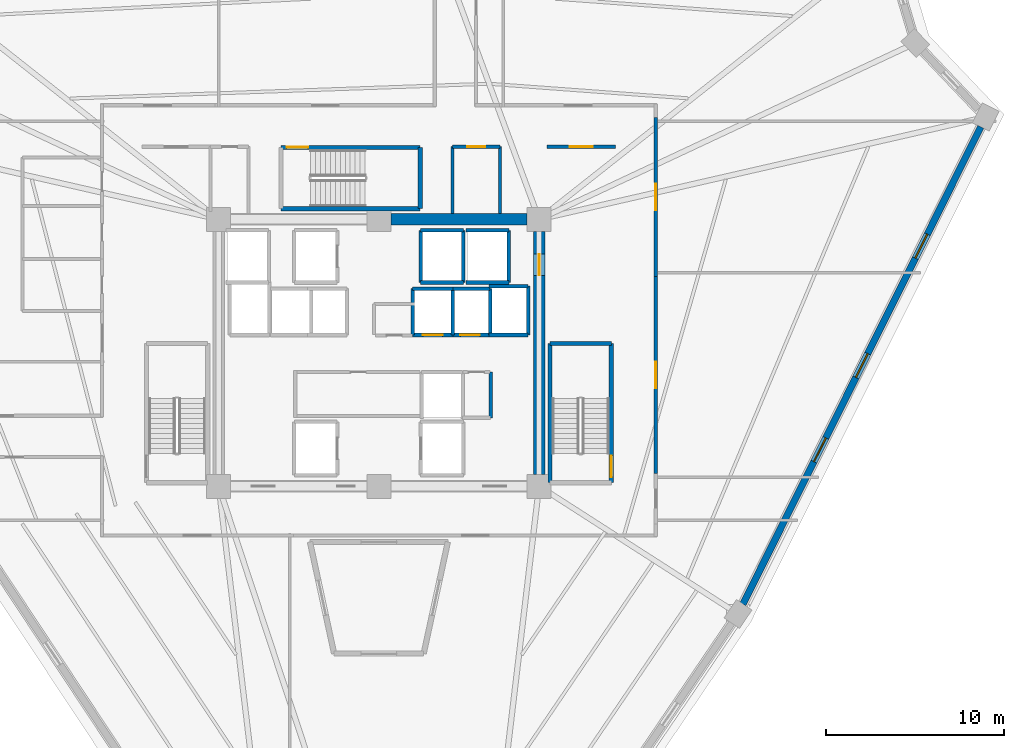
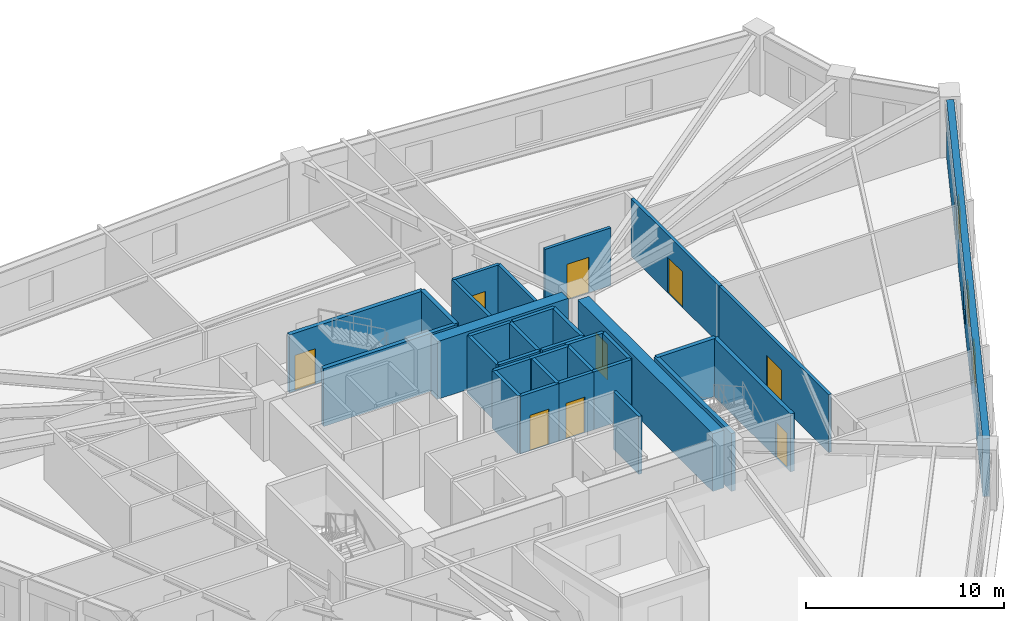
# One storey, part 6 of 10: 33 walls, 9 doors, 3 windows, 12 openings.
"""IFC4 building model written with IfcOpenShell, lengths in metres."""

from ifc_helpers import new_model, si_unit, direction, frame, frame_2d, origin, place, context, subcontext, project, spatial, rectangle, extrude, source, transform, mapped, material, layer, layer_set, type_object, element, fill, save


model = new_model("IFC4")

# Units and contexts
model_context = context("Model", 3, precision=1e-05, world=origin(), true_north=direction((0.0, 1.0)))
body_context = subcontext(model_context, "Body", "Model", "MODEL_VIEW")
ifc_project = project(units=[si_unit("LENGTHUNIT", "METRE"), si_unit("AREAUNIT", "SQUARE_METRE"), si_unit("VOLUMEUNIT", "CUBIC_METRE"), si_unit("PLANEANGLEUNIT", "RADIAN"), si_unit("MASSUNIT", "GRAM", prefix="KILO")], contexts=[model_context])

# Site, building, storey
site_placement = place(None, origin())
site = spatial("IfcSite", under=ifc_project, at=site_placement, CompositionType="ELEMENT")
building_placement = place(site_placement, origin())
building = spatial("IfcBuilding", under=site, at=building_placement, Name="Liaohun Quay Tower", CompositionType="ELEMENT")
storey_placement = place(building_placement, frame((0.0, 0.0, 194.25)))
storey = spatial("IfcBuildingStorey", under=building, at=storey_placement, Name="L50", CompositionType="ELEMENT", Elevation=194.25)

# Wall
ifc_material_1 = material(Name="Concrete C55", Category="concrete")
ifc_layer_1 = layer(ifc_material_1, 0.64990234375, Name="Concrete C55", Category="concrete")
ifc_layer_set_1 = layer_set([ifc_layer_1], Name="Concrete C55")
wall_type_1 = type_object("IfcWallType", Name="WAL-COR-Z3", PredefinedType="SHEAR", material=ifc_layer_set_1)
wall_1_placement = place(storey_placement, frame((60.675048828125, 61.5, 0.0), z_axis=(0.0, 0.0, 1.0), x_axis=(1.0, 0.0, 0.0)))
element("IfcWall", 1, at=wall_1_placement, inside=storey, type_object=wall_type_1, Name="L50 Central Core Shear Wall N-E", PredefinedType="SHEAR", context=body_context, shape_type="SweptSolid", body=[
    extrude(rectangle(XDim=7.64990234375, YDim=0.64990234375, at=frame_2d((3.824951171875, 0.0))), origin(), (0.0, 0.0, 1.0), 3.570068359375),
])

# Wall, opening, door
wall_2_placement = place(storey_placement, frame((69.0, 60.824951171875, 0.0), z_axis=(0.0, 0.0, 1.0), x_axis=(0.0, -1.0, 0.0)))
wall_2 = element("IfcWall", 2, at=wall_2_placement, inside=storey, type_object=wall_type_1, Name="L50 Central Core Shear Wall E", PredefinedType="SHEAR", context=body_context, shape_type="SweptSolid", body=[
    extrude(rectangle(XDim=13.64990234375, YDim=0.64990234375, at=frame_2d((6.824951171875, 0.0))), origin(), (0.0, 0.0, 1.0), 3.570068359375),
])
shared_shape_1 = source(origin(), body_context, "Body", "SweptSolid", [
    extrude(rectangle(XDim=1.199951171875, YDim=2.199951171875, at=frame_2d((0.60009765625, 1.10009765625))), frame((0.0, 0.3349609375, 0.0), z_axis=(0.0, -1.0, 0.0), x_axis=(1.0, 0.0, 0.0)), (0.0, 0.0, 1.0), 0.669921875),
])
opening_1_placement = place(wall_2_placement, frame((1.27490234375, 0.0, 0.0)))
opening_1 = element("IfcOpeningElement", 3, at=opening_1_placement, cuts=wall_2, Name="Opening SD1", PredefinedType="OPENING", context=body_context, shape_type="MappedRepresentation", body=[
    mapped(shared_shape_1, transform((0.0, 0.0, 0.0), x_axis=(1.0, 0.0, 0.0), y_axis=(0.0, 1.0, 0.0), z_axis=(0.0, 0.0, 1.0), scale=1.0)),
])
ifc_material_2 = material(Name="Galvanised steel fire door", Category="steel")
door_type_1 = type_object("IfcDoorType", Name="DOR-STR-1200", OperationType="NOTDEFINED", PredefinedType="DOOR", material=ifc_material_2)
shared_shape_2 = source(origin(), body_context, "Body", "SweptSolid", [
    extrude(rectangle(XDim=1.199951171875, YDim=2.199951171875, at=frame_2d((0.60009765625, 1.10009765625))), frame((0.0, 0.02490234375, 0.0), z_axis=(0.0, -1.0, 0.0), x_axis=(1.0, 0.0, 0.0)), (0.0, 0.0, 1.0), 0.050048828125),
])
door_1_placement = place(opening_1_placement, origin())
door_1 = element("IfcDoor", 4, at=door_1_placement, inside=storey, type_object=door_type_1, Name="L50 North-East Core Lobby Smokeproof Door", OperationType="SINGLE_SWING_LEFT", OverallHeight=2.199951171875, OverallWidth=1.199951171875, PredefinedType="DOOR", context=body_context, shape_type="MappedRepresentation", body=[
    mapped(shared_shape_2, transform((0.0, 0.0, 0.0), x_axis=(1.0, 0.0, 0.0), y_axis=(0.0, 1.0, 0.0), z_axis=(0.0, 0.0, 1.0), scale=1.0)),
])
fill(opening_1, door_1)

# Wall, openings, windows
ifc_material_3 = material(Name="Precast concrete C50 insulated sandwich", Category="concrete")
ifc_layer_2 = layer(ifc_material_3, 0.3798828125, Name="Precast concrete C50 insulated sandwich", Category="concrete")
ifc_layer_set_2 = layer_set([ifc_layer_2], Name="Precast concrete C50 insulated sandwich")
wall_type_2 = type_object("IfcWallType", Name="WAL-EXT-Z34", PredefinedType="SOLIDWALL", material=ifc_layer_set_2)
wall_3_placement = place(storey_placement, frame((80.451904296875, 39.875, 0.0), z_axis=(0.0, 0.0, 1.0), x_axis=(0.446173861236, 0.894946303166, 0.0)))
wall_3 = element("IfcWall", 5, at=wall_3_placement, inside=storey, type_object=wall_type_2, Name="L50 Brutalist Precast Pier Wall 03", PredefinedType="SOLIDWALL", context=body_context, shape_type="SweptSolid", body=[
    extrude(rectangle(XDim=29.970458984375, YDim=0.3798828125, at=frame_2d((14.9853515625, 0.0))), origin(), (0.0, 0.0, 1.0), 3.570068359375),
])
shared_shape_3 = source(origin(), body_context, "Body", "SweptSolid", [
    extrude(rectangle(XDim=1.5, YDim=1.89990234375, at=frame_2d((0.75, 0.949951171875))), frame((0.0, 0.199951171875, 0.0), z_axis=(0.0, -1.0, 0.0), x_axis=(1.0, 0.0, 0.0)), (0.0, 0.0, 1.0), 0.39990234375),
])
opening_2_placement = place(wall_3_placement, frame((8.943115234375, 0.0, 0.550048828125)))
opening_2 = element("IfcOpeningElement", 6, at=opening_2_placement, cuts=wall_3, Name="Opening W03", PredefinedType="OPENING", context=body_context, shape_type="MappedRepresentation", body=[
    mapped(shared_shape_3, transform((0.0, 0.0, 0.0), x_axis=(1.0, 0.0, 0.0), y_axis=(0.0, 1.0, 0.0), z_axis=(0.0, 0.0, 1.0), scale=1.0)),
])
opening_3_placement = place(wall_3_placement, frame((14.235107421875, 0.0, 0.550048828125)))
opening_3 = element("IfcOpeningElement", 7, at=opening_3_placement, cuts=wall_3, Name="Opening W03", PredefinedType="OPENING", context=body_context, shape_type="MappedRepresentation", body=[
    mapped(shared_shape_3, transform((0.0, 0.0, 0.0), x_axis=(1.0, 0.0, 0.0), y_axis=(0.0, 1.0, 0.0), z_axis=(0.0, 0.0, 1.0), scale=1.0)),
])
opening_4_placement = place(wall_3_placement, frame((21.72802734375, 0.0, 0.550048828125)))
opening_4 = element("IfcOpeningElement", 8, at=opening_4_placement, cuts=wall_3, Name="Opening W03", PredefinedType="OPENING", context=body_context, shape_type="MappedRepresentation", body=[
    mapped(shared_shape_3, transform((0.0, 0.0, 0.0), x_axis=(1.0, 0.0, 0.0), y_axis=(0.0, 1.0, 0.0), z_axis=(0.0, 0.0, 1.0), scale=1.0)),
])
ifc_material_4 = material(Name="Triple Low-E argon glazing in thermally broken aluminium", Category="aluminium")
window_type = type_object("IfcWindowType", Name="WIN-PUN-Z3", PartitioningType="DOUBLE_PANEL_VERTICAL", PredefinedType="WINDOW", material=ifc_material_4)
shared_shape_4 = source(origin(), body_context, "Body", "SweptSolid", [
    extrude(rectangle(XDim=1.5, YDim=1.89990234375, at=frame_2d((0.75, 0.949951171875))), frame((0.0, 0.030029296875, 0.0), z_axis=(0.0, -1.0, 0.0), x_axis=(1.0, 0.0, 0.0)), (0.0, 0.0, 1.0), 0.06005859375),
])
window_1_placement = place(opening_2_placement, origin())
window_1 = element("IfcWindow", 9, at=window_1_placement, inside=storey, type_object=window_type, Name="L50 Recessed Cold-Climate Punched Window 03-1", OverallHeight=1.89990234375, OverallWidth=1.5, PartitioningType="DOUBLE_PANEL_VERTICAL", PredefinedType="WINDOW", context=body_context, shape_type="MappedRepresentation", body=[
    mapped(shared_shape_4, transform((0.0, 0.0, 0.0), x_axis=(1.0, 0.0, 0.0), y_axis=(0.0, 1.0, 0.0), z_axis=(0.0, 0.0, 1.0), scale=1.0)),
])
fill(opening_2, window_1)
window_2_placement = place(opening_3_placement, origin())
window_2 = element("IfcWindow", 10, at=window_2_placement, inside=storey, type_object=window_type, Name="L50 Recessed Cold-Climate Punched Window 03-2", OverallHeight=1.89990234375, OverallWidth=1.5, PartitioningType="DOUBLE_PANEL_VERTICAL", PredefinedType="WINDOW", context=body_context, shape_type="MappedRepresentation", body=[
    mapped(shared_shape_4, transform((0.0, 0.0, 0.0), x_axis=(1.0, 0.0, 0.0), y_axis=(0.0, 1.0, 0.0), z_axis=(0.0, 0.0, 1.0), scale=1.0)),
])
fill(opening_3, window_2)
window_3_placement = place(opening_4_placement, origin())
window_3 = element("IfcWindow", 11, at=window_3_placement, inside=storey, type_object=window_type, Name="L50 Recessed Cold-Climate Punched Window 03-3", OverallHeight=1.89990234375, OverallWidth=1.5, PartitioningType="DOUBLE_PANEL_VERTICAL", PredefinedType="WINDOW", context=body_context, shape_type="MappedRepresentation", body=[
    mapped(shared_shape_4, transform((0.0, 0.0, 0.0), x_axis=(1.0, 0.0, 0.0), y_axis=(0.0, 1.0, 0.0), z_axis=(0.0, 0.0, 1.0), scale=1.0)),
])
fill(opening_4, window_3)

# Wall, opening, door
ifc_material_5 = material(Name="Autoclaved aerated concrete blockwork", Category="masonry")
ifc_layer_3 = layer(ifc_material_5, 0.179931640625, Name="Autoclaved aerated concrete blockwork", Category="masonry")
ifc_layer_set_3 = layer_set([ifc_layer_3], Name="Autoclaved aerated concrete blockwork")
wall_type_3 = type_object("IfcWallType", Name="WAL-PRT-COR", PredefinedType="PARTITIONING", material=ifc_layer_set_3)
wall_4_placement = place(storey_placement, frame((64.139892578125, 65.580078125, 0.0), z_axis=(0.0, 0.0, 1.0), x_axis=(1.0, 0.0, 0.0)))
wall_4 = element("IfcWall", 12, at=wall_4_placement, inside=storey, type_object=wall_type_3, Name="L50 Interior Partition Wall 008", PredefinedType="PARTITIONING", context=body_context, shape_type="SweptSolid", body=[
    extrude(rectangle(XDim=2.670166015625, YDim=0.179931640625, at=frame_2d((1.3349609375, 0.0))), origin(), (0.0, 0.0, 1.0), 3.570068359375),
])
shared_shape_5 = source(origin(), body_context, "Body", "SweptSolid", [
    extrude(rectangle(XDim=1.0, YDim=2.199951171875, at=frame_2d((0.5, 1.10009765625))), frame((0.0, 0.099853515625, 0.0), z_axis=(0.0, -1.0, 0.0), x_axis=(1.0, 0.0, 0.0)), (0.0, 0.0, 1.0), 0.199951171875),
])
opening_5_placement = place(wall_4_placement, frame((0.8349609375, 0.0, 0.0)))
opening_5 = element("IfcOpeningElement", 13, at=opening_5_placement, cuts=wall_4, Name="Opening OD1", PredefinedType="OPENING", context=body_context, shape_type="MappedRepresentation", body=[
    mapped(shared_shape_5, transform((0.0, 0.0, 0.0), x_axis=(1.0, 0.0, 0.0), y_axis=(0.0, 1.0, 0.0), z_axis=(0.0, 0.0, 1.0), scale=1.0)),
])
ifc_material_6 = material(Name="Solid-core oak veneer timber leaf in steel frame", Category="steel")
door_type_2 = type_object("IfcDoorType", Name="DOR-OFF-1000", OperationType="NOTDEFINED", PredefinedType="DOOR", material=ifc_material_6)
shared_shape_6 = source(origin(), body_context, "Body", "SweptSolid", [
    extrude(rectangle(XDim=1.0, YDim=2.199951171875, at=frame_2d((0.5, 1.10009765625))), frame((0.0, 0.02490234375, 0.0), z_axis=(0.0, -1.0, 0.0), x_axis=(1.0, 0.0, 0.0)), (0.0, 0.0, 1.0), 0.050048828125),
])
door_2_placement = place(opening_5_placement, origin())
door_2 = element("IfcDoor", 14, at=door_2_placement, inside=storey, type_object=door_type_2, Name="L50 North-East Server Closet Door", OperationType="SINGLE_SWING_RIGHT", OverallHeight=2.199951171875, OverallWidth=1.0, PredefinedType="DOOR", context=body_context, shape_type="MappedRepresentation", body=[
    mapped(shared_shape_6, transform((0.0, 0.0, 0.0), x_axis=(1.0, 0.0, 0.0), y_axis=(0.0, 1.0, 0.0), z_axis=(0.0, 0.0, 1.0), scale=1.0)),
])
fill(opening_5, door_2)

wall_5_placement = place(storey_placement, frame((69.4599609375, 65.580078125, 0.0), z_axis=(0.0, 0.0, 1.0), x_axis=(1.0, 0.0, 0.0)))
wall_5 = element("IfcWall", 15, at=wall_5_placement, inside=storey, type_object=wall_type_3, Name="L50 Interior Partition Wall 010", PredefinedType="PARTITIONING", context=body_context, shape_type="SweptSolid", body=[
    extrude(rectangle(XDim=3.840087890625, YDim=0.179931640625, at=frame_2d((1.919921875, 0.0))), origin(), (0.0, 0.0, 1.0), 3.570068359375),
])
shared_shape_7 = source(origin(), body_context, "Body", "SweptSolid", [
    extrude(rectangle(XDim=1.300048828125, YDim=2.199951171875, at=frame_2d((0.64990234375, 1.10009765625))), frame((0.0, 0.099853515625, 0.0), z_axis=(0.0, -1.0, 0.0), x_axis=(1.0, 0.0, 0.0)), (0.0, 0.0, 1.0), 0.199951171875),
])
opening_6_placement = place(wall_5_placement, frame((1.27001953125, 0.0, 0.0)))
opening_6 = element("IfcOpeningElement", 16, at=opening_6_placement, cuts=wall_5, Name="Opening FD1", PredefinedType="OPENING", context=body_context, shape_type="MappedRepresentation", body=[
    mapped(shared_shape_7, transform((0.0, 0.0, 0.0), x_axis=(1.0, 0.0, 0.0), y_axis=(0.0, 1.0, 0.0), z_axis=(0.0, 0.0, 1.0), scale=1.0)),
])
ifc_material_7 = material(Name="Galvanised steel smokeproof fire door", Category="steel")
door_type_3 = type_object("IfcDoorType", Name="DOR-FFL-1300", OperationType="NOTDEFINED", PredefinedType="DOOR", material=ifc_material_7)
shared_shape_8 = source(origin(), body_context, "Body", "SweptSolid", [
    extrude(rectangle(XDim=1.300048828125, YDim=2.199951171875, at=frame_2d((0.64990234375, 1.10009765625))), frame((0.0, 0.02490234375, 0.0), z_axis=(0.0, -1.0, 0.0), x_axis=(1.0, 0.0, 0.0)), (0.0, 0.0, 1.0), 0.050048828125),
])
door_3_placement = place(opening_6_placement, origin())
door_3 = element("IfcDoor", 17, at=door_3_placement, inside=storey, type_object=door_type_3, Name="L50 East Core Vestibule Door", OperationType="SINGLE_SWING_RIGHT", OverallHeight=2.199951171875, OverallWidth=1.300048828125, PredefinedType="DOOR", context=body_context, shape_type="MappedRepresentation", body=[
    mapped(shared_shape_8, transform((0.0, 0.0, 0.0), x_axis=(1.0, 0.0, 0.0), y_axis=(0.0, 1.0, 0.0), z_axis=(0.0, 0.0, 1.0), scale=1.0)),
])
fill(opening_6, door_3)

wall_6_placement = place(storey_placement, frame((75.56005859375, 67.215087890625, 0.0), z_axis=(0.0, 0.0, 1.0), x_axis=(0.0, -1.0, 0.0)))
wall_6 = element("IfcWall", 18, at=wall_6_placement, inside=storey, type_object=wall_type_3, Name="L50 Interior Partition Wall 011", PredefinedType="PARTITIONING", context=body_context, shape_type="SweptSolid", body=[
    extrude(rectangle(XDim=8.93017578125, YDim=0.179931640625, at=frame_2d((4.465087890625, 0.0))), origin(), (0.0, 0.0, 1.0), 3.570068359375),
])
shared_shape_9 = source(origin(), body_context, "Body", "SweptSolid", [
    extrude(rectangle(XDim=1.5, YDim=2.199951171875, at=frame_2d((0.75, 1.10009765625))), frame((0.0, 0.099853515625, 0.0), z_axis=(0.0, -1.0, 0.0), x_axis=(1.0, 0.0, 0.0)), (0.0, 0.0, 1.0), 0.199951171875),
])
opening_7_placement = place(wall_6_placement, frame((3.715087890625, 0.0, 0.0)))
opening_7 = element("IfcOpeningElement", 19, at=opening_7_placement, cuts=wall_6, Name="Opening OD2", PredefinedType="OPENING", context=body_context, shape_type="MappedRepresentation", body=[
    mapped(shared_shape_9, transform((0.0, 0.0, 0.0), x_axis=(1.0, 0.0, 0.0), y_axis=(0.0, 1.0, 0.0), z_axis=(0.0, 0.0, 1.0), scale=1.0)),
])
ifc_material_8 = material(Name="Acoustic oak veneer double door")
door_type_4 = type_object("IfcDoorType", Name="DOR-OFF-1500", OperationType="DOUBLE_DOOR_SINGLE_SWING", PredefinedType="DOOR", material=ifc_material_8)
shared_shape_10 = source(origin(), body_context, "Body", "SweptSolid", [
    extrude(rectangle(XDim=1.5, YDim=2.199951171875, at=frame_2d((0.75, 1.10009765625))), frame((0.0, 0.02490234375, 0.0), z_axis=(0.0, -1.0, 0.0), x_axis=(1.0, 0.0, 0.0)), (0.0, 0.0, 1.0), 0.050048828125),
])
door_4_placement = place(opening_7_placement, origin())
door_4 = element("IfcDoor", 20, at=door_4_placement, inside=storey, type_object=door_type_4, Name="L50 Staff Daycare Nursery 01 Door", OperationType="DOUBLE_DOOR_SINGLE_SWING", OverallHeight=2.199951171875, OverallWidth=1.5, PredefinedType="DOOR", context=body_context, shape_type="MappedRepresentation", body=[
    mapped(shared_shape_10, transform((0.0, 0.0, 0.0), x_axis=(1.0, 0.0, 0.0), y_axis=(0.0, 1.0, 0.0), z_axis=(0.0, 0.0, 1.0), scale=1.0)),
])
fill(opening_7, door_4)

wall_7_placement = place(storey_placement, frame((75.56005859375, 58.284912109375, 0.0), z_axis=(0.0, 0.0, 1.0), x_axis=(0.0, -1.0, 0.0)))
wall_7 = element("IfcWall", 21, at=wall_7_placement, inside=storey, type_object=wall_type_3, Name="L50 Interior Partition Wall 022", PredefinedType="PARTITIONING", context=body_context, shape_type="SweptSolid", body=[
    extrude(rectangle(XDim=11.06982421875, YDim=0.179931640625, at=frame_2d((5.534912109375, 0.0))), origin(), (0.0, 0.0, 1.0), 3.570068359375),
])
opening_8_placement = place(wall_7_placement, frame((4.784912109375, 0.0, 0.0)))
opening_8 = element("IfcOpeningElement", 22, at=opening_8_placement, cuts=wall_7, Name="Opening OD2", PredefinedType="OPENING", context=body_context, shape_type="MappedRepresentation", body=[
    mapped(shared_shape_9, transform((0.0, 0.0, 0.0), x_axis=(1.0, 0.0, 0.0), y_axis=(0.0, 1.0, 0.0), z_axis=(0.0, 0.0, 1.0), scale=1.0)),
])
door_5_placement = place(opening_8_placement, origin())
door_5 = element("IfcDoor", 23, at=door_5_placement, inside=storey, type_object=door_type_4, Name="L50 Client Reception Office 12 Door", OperationType="DOUBLE_DOOR_SINGLE_SWING", OverallHeight=2.199951171875, OverallWidth=1.5, PredefinedType="DOOR", context=body_context, shape_type="MappedRepresentation", body=[
    mapped(shared_shape_10, transform((0.0, 0.0, 0.0), x_axis=(1.0, 0.0, 0.0), y_axis=(0.0, 1.0, 0.0), z_axis=(0.0, 0.0, 1.0), scale=1.0)),
])
fill(opening_8, door_5)

# Walls
wall_8_placement = place(storey_placement, frame((66.280029296875, 50.35009765625, 0.0), z_axis=(0.0, 0.0, 1.0), x_axis=(0.0, 1.0, 0.0)))
element("IfcWall", 24, at=wall_8_placement, inside=storey, type_object=wall_type_3, Name="L50 Interior Partition Wall 026", PredefinedType="PARTITIONING", context=body_context, shape_type="SweptSolid", body=[
    extrude(rectangle(XDim=2.56982421875, YDim=0.179931640625, at=frame_2d((1.284912109375, 0.0))), origin(), (0.0, 0.0, 1.0), 3.570068359375),
])
for number, where, z_axis, x_axis, name in (
    (25, (64.139892578125, 61.824951171875, 0.0), (0.0, 0.0, 1.0), (0.0, 1.0, 0.0), "L50 Interior Partition Wall 034"),
    (26, (66.81005859375, 61.824951171875, 0.0), (0.0, 0.0, 1.0), (0.0, 1.0, 0.0), "L50 Interior Partition Wall 035"),
):
    element("IfcWall", number, at=place(storey_placement, frame(where, z_axis=z_axis, x_axis=x_axis)), inside=storey, type_object=wall_type_3, Name=name, PredefinedType="PARTITIONING", context=body_context, shape_type="SweptSolid", body=[
        extrude(rectangle(XDim=3.755126953125, YDim=0.179931640625, at=frame_2d((1.87744140625, 0.0))), origin(), (0.0, 0.0, 1.0), 3.570068359375),
    ])

# Wall, opening, door
ifc_material_9 = material(Name="Concrete C50", Category="concrete")
ifc_layer_4 = layer(ifc_material_9, 0.239990234375, Name="Concrete C50", Category="concrete")
ifc_layer_set_4 = layer_set([ifc_layer_4], Name="Concrete C50")
wall_type_4 = type_object("IfcWallType", Name="WAL-SHF-200", PredefinedType="SOLIDWALL", material=ifc_layer_set_4)
wall_9_placement = place(storey_placement, frame((73.06005859375, 46.699951171875, 0.0), z_axis=(0.0, 0.0, 1.0), x_axis=(0.0, 1.0, 0.0)))
wall_9 = element("IfcWall", 27, at=wall_9_placement, inside=storey, type_object=wall_type_4, Name="L50 Stairwell ST-2 Structural Core Wall E", PredefinedType="SOLIDWALL", context=body_context, shape_type="SweptSolid", body=[
    extrude(rectangle(XDim=7.820068359375, YDim=0.239990234375, at=frame_2d((3.91015625, 0.0))), origin(), (0.0, 0.0, 1.0), 3.570068359375),
])
shared_shape_11 = source(origin(), body_context, "Body", "SweptSolid", [
    extrude(rectangle(XDim=1.199951171875, YDim=2.199951171875, at=frame_2d((0.60009765625, 1.10009765625))), frame((0.0, 0.1298828125, 0.0), z_axis=(0.0, -1.0, 0.0), x_axis=(1.0, 0.0, 0.0)), (0.0, 0.0, 1.0), 0.260009765625),
])
opening_9_placement = place(wall_9_placement, frame((0.320068359375, 0.0, 0.0)))
opening_9 = element("IfcOpeningElement", 28, at=opening_9_placement, cuts=wall_9, Name="Opening SD1", PredefinedType="OPENING", context=body_context, shape_type="MappedRepresentation", body=[
    mapped(shared_shape_11, transform((0.0, 0.0, 0.0), x_axis=(1.0, 0.0, 0.0), y_axis=(0.0, 1.0, 0.0), z_axis=(0.0, 0.0, 1.0), scale=1.0)),
])
door_6_placement = place(opening_9_placement, origin())
door_6 = element("IfcDoor", 29, at=door_6_placement, inside=storey, type_object=door_type_1, Name="L50 Protected Stair ST-2 Fire Door", OperationType="SINGLE_SWING_RIGHT", OverallHeight=2.199951171875, OverallWidth=1.199951171875, PredefinedType="DOOR", context=body_context, shape_type="MappedRepresentation", body=[
    mapped(shared_shape_2, transform((0.0, 0.0, 0.0), x_axis=(1.0, 0.0, 0.0), y_axis=(0.0, 1.0, 0.0), z_axis=(0.0, 0.0, 1.0), scale=1.0)),
])
fill(opening_9, door_6)

# Walls
wall_10_placement = place(storey_placement, frame((73.06005859375, 54.52001953125, 0.0), z_axis=(0.0, 0.0, 1.0), x_axis=(-1.0, 0.0, 0.0)))
element("IfcWall", 30, at=wall_10_placement, inside=storey, type_object=wall_type_4, Name="L50 Stairwell ST-2 Structural Core Wall N", PredefinedType="SOLIDWALL", context=body_context, shape_type="SweptSolid", body=[
    extrude(rectangle(XDim=3.43994140625, YDim=0.239990234375, at=frame_2d((1.719970703125, 0.0))), origin(), (0.0, 0.0, 1.0), 3.570068359375),
])
for number, where, z_axis, x_axis, name in (
    (31, (69.6201171875, 54.52001953125, 0.0), (0.0, 0.0, 1.0), (0.0, -1.0, 0.0), "L50 Stairwell ST-2 Structural Core Wall W"),
    (32, (54.5, 62.10009765625, 0.0), (0.0, 0.0, 1.0), (1.0, 0.0, 0.0), "L50 Stairwell ST-3 Structural Core Wall S"),
):
    element("IfcWall", number, at=place(storey_placement, frame(where, z_axis=z_axis, x_axis=x_axis)), inside=storey, type_object=wall_type_4, Name=name, PredefinedType="SOLIDWALL", context=body_context, shape_type="SweptSolid", body=[
        extrude(rectangle(XDim=7.820068359375, YDim=0.239990234375, at=frame_2d((3.91015625, 0.0))), origin(), (0.0, 0.0, 1.0), 3.570068359375),
    ])
wall_11_placement = place(storey_placement, frame((62.320068359375, 62.10009765625, 0.0), z_axis=(0.0, 0.0, 1.0), x_axis=(0.0, 1.0, 0.0)))
element("IfcWall", 33, at=wall_11_placement, inside=storey, type_object=wall_type_4, Name="L50 Stairwell ST-3 Structural Core Wall E", PredefinedType="SOLIDWALL", context=body_context, shape_type="SweptSolid", body=[
    extrude(rectangle(XDim=3.43994140625, YDim=0.239990234375, at=frame_2d((1.719970703125, 0.0))), origin(), (0.0, 0.0, 1.0), 3.570068359375),
])

# Wall, opening, door
wall_12_placement = place(storey_placement, frame((62.320068359375, 65.5400390625, 0.0), z_axis=(0.0, 0.0, 1.0), x_axis=(-1.0, 0.0, 0.0)))
wall_12 = element("IfcWall", 34, at=wall_12_placement, inside=storey, type_object=wall_type_4, Name="L50 Stairwell ST-3 Structural Core Wall N", PredefinedType="SOLIDWALL", context=body_context, shape_type="SweptSolid", body=[
    extrude(rectangle(XDim=7.820068359375, YDim=0.239990234375, at=frame_2d((3.91015625, 0.0))), origin(), (0.0, 0.0, 1.0), 3.570068359375),
])
opening_10_placement = place(wall_12_placement, frame((6.300048828125, 0.0, 0.0)))
opening_10 = element("IfcOpeningElement", 35, at=opening_10_placement, cuts=wall_12, Name="Opening SD1", PredefinedType="OPENING", context=body_context, shape_type="MappedRepresentation", body=[
    mapped(shared_shape_11, transform((0.0, 0.0, 0.0), x_axis=(1.0, 0.0, 0.0), y_axis=(0.0, 1.0, 0.0), z_axis=(0.0, 0.0, 1.0), scale=1.0)),
])
door_7_placement = place(opening_10_placement, origin())
door_7 = element("IfcDoor", 36, at=door_7_placement, inside=storey, type_object=door_type_1, Name="L50 Protected Stair ST-3 Fire Door", OperationType="SINGLE_SWING_RIGHT", OverallHeight=2.199951171875, OverallWidth=1.199951171875, PredefinedType="DOOR", context=body_context, shape_type="MappedRepresentation", body=[
    mapped(shared_shape_2, transform((0.0, 0.0, 0.0), x_axis=(1.0, 0.0, 0.0), y_axis=(0.0, 1.0, 0.0), z_axis=(0.0, 0.0, 1.0), scale=1.0)),
])
fill(opening_10, door_7)

# Walls
wall_13_placement = place(storey_placement, frame((62.35009765625, 57.949951171875, 0.0), z_axis=(0.0, 0.0, 1.0), x_axis=(1.0, 0.0, 0.0)))
element("IfcWall", 37, at=wall_13_placement, inside=storey, type_object=wall_type_4, Name="L50 Lift OB-01 Hoistway Wall S", PredefinedType="SOLIDWALL", context=body_context, shape_type="SweptSolid", body=[
    extrude(rectangle(XDim=2.39990234375, YDim=0.199951171875, at=frame_2d((1.199951171875, 0.0))), origin(), (0.0, 0.0, 1.0), 3.570068359375),
])
wall_14_placement = place(storey_placement, frame((64.75, 57.949951171875, 0.0), z_axis=(0.0, 0.0, 1.0), x_axis=(0.0, 1.0, 0.0)))
element("IfcWall", 38, at=wall_14_placement, inside=storey, type_object=wall_type_4, Name="L50 Lift OB-01 Hoistway Wall E", PredefinedType="SOLIDWALL", context=body_context, shape_type="SweptSolid", body=[
    extrude(rectangle(XDim=2.929931640625, YDim=0.199951171875, at=frame_2d((1.46484375, 0.0))), origin(), (0.0, 0.0, 1.0), 3.570068359375),
])
wall_15_placement = place(storey_placement, frame((64.75, 60.8798828125, 0.0), z_axis=(0.0, 0.0, 1.0), x_axis=(-1.0, 0.0, 0.0)))
element("IfcWall", 39, at=wall_15_placement, inside=storey, type_object=wall_type_4, Name="L50 Lift OB-01 Hoistway Wall N", PredefinedType="SOLIDWALL", context=body_context, shape_type="SweptSolid", body=[
    extrude(rectangle(XDim=2.39990234375, YDim=0.199951171875, at=frame_2d((1.199951171875, 0.0))), origin(), (0.0, 0.0, 1.0), 3.570068359375),
])
wall_16_placement = place(storey_placement, frame((62.35009765625, 60.8798828125, 0.0), z_axis=(0.0, 0.0, 1.0), x_axis=(0.0, -1.0, 0.0)))
element("IfcWall", 40, at=wall_16_placement, inside=storey, type_object=wall_type_4, Name="L50 Lift OB-01 Hoistway Wall W", PredefinedType="SOLIDWALL", context=body_context, shape_type="SweptSolid", body=[
    extrude(rectangle(XDim=2.929931640625, YDim=0.199951171875, at=frame_2d((1.46484375, 0.0))), origin(), (0.0, 0.0, 1.0), 3.570068359375),
])
wall_17_placement = place(storey_placement, frame((64.89990234375, 57.949951171875, 0.0), z_axis=(0.0, 0.0, 1.0), x_axis=(1.0, 0.0, 0.0)))
element("IfcWall", 41, at=wall_17_placement, inside=storey, type_object=wall_type_4, Name="L50 Lift OB-02 Hoistway Wall S", PredefinedType="SOLIDWALL", context=body_context, shape_type="SweptSolid", body=[
    extrude(rectangle(XDim=2.400146484375, YDim=0.199951171875, at=frame_2d((1.2001953125, 0.0))), origin(), (0.0, 0.0, 1.0), 3.570068359375),
])
wall_18_placement = place(storey_placement, frame((67.300048828125, 57.949951171875, 0.0), z_axis=(0.0, 0.0, 1.0), x_axis=(0.0, 1.0, 0.0)))
element("IfcWall", 42, at=wall_18_placement, inside=storey, type_object=wall_type_4, Name="L50 Lift OB-02 Hoistway Wall E", PredefinedType="SOLIDWALL", context=body_context, shape_type="SweptSolid", body=[
    extrude(rectangle(XDim=2.929931640625, YDim=0.199951171875, at=frame_2d((1.46484375, 0.0))), origin(), (0.0, 0.0, 1.0), 3.570068359375),
])
wall_19_placement = place(storey_placement, frame((67.300048828125, 60.8798828125, 0.0), z_axis=(0.0, 0.0, 1.0), x_axis=(-1.0, 0.0, 0.0)))
element("IfcWall", 43, at=wall_19_placement, inside=storey, type_object=wall_type_4, Name="L50 Lift OB-02 Hoistway Wall N", PredefinedType="SOLIDWALL", context=body_context, shape_type="SweptSolid", body=[
    extrude(rectangle(XDim=2.400146484375, YDim=0.199951171875, at=frame_2d((1.2001953125, 0.0))), origin(), (0.0, 0.0, 1.0), 3.570068359375),
])
wall_20_placement = place(storey_placement, frame((66.199951171875, 55.0, 0.0), z_axis=(0.0, 0.0, 1.0), x_axis=(1.0, 0.0, 0.0)))
element("IfcWall", 44, at=wall_20_placement, inside=storey, type_object=wall_type_4, Name="L50 Lift SH-03 Hoistway Wall S", PredefinedType="SOLIDWALL", context=body_context, shape_type="SweptSolid", body=[
    extrude(rectangle(XDim=2.179931640625, YDim=0.199951171875, at=frame_2d((1.08984375, 0.0))), origin(), (0.0, 0.0, 1.0), 3.570068359375),
])
wall_21_placement = place(storey_placement, frame((68.3798828125, 55.0, 0.0), z_axis=(0.0, 0.0, 1.0), x_axis=(0.0, 1.0, 0.0)))
element("IfcWall", 45, at=wall_21_placement, inside=storey, type_object=wall_type_4, Name="L50 Lift SH-03 Hoistway Wall E", PredefinedType="SOLIDWALL", context=body_context, shape_type="SweptSolid", body=[
    extrude(rectangle(XDim=2.75, YDim=0.199951171875, at=frame_2d((1.375, 0.0))), origin(), (0.0, 0.0, 1.0), 3.570068359375),
])
wall_22_placement = place(storey_placement, frame((68.3798828125, 57.75, 0.0), z_axis=(0.0, 0.0, 1.0), x_axis=(-1.0, 0.0, 0.0)))
element("IfcWall", 46, at=wall_22_placement, inside=storey, type_object=wall_type_4, Name="L50 Lift SH-03 Hoistway Wall N", PredefinedType="SOLIDWALL", context=body_context, shape_type="SweptSolid", body=[
    extrude(rectangle(XDim=2.179931640625, YDim=0.199951171875, at=frame_2d((1.08984375, 0.0))), origin(), (0.0, 0.0, 1.0), 3.570068359375),
])

# Wall, opening, door
wall_23_placement = place(storey_placement, frame((61.89990234375, 55.0, 0.0), z_axis=(0.0, 0.0, 1.0), x_axis=(1.0, 0.0, 0.0)))
wall_23 = element("IfcWall", 47, at=wall_23_placement, inside=storey, type_object=wall_type_4, Name="L50 Lift PL-3A Hoistway Wall S", PredefinedType="SOLIDWALL", context=body_context, shape_type="SweptSolid", body=[
    extrude(rectangle(XDim=2.25, YDim=0.199951171875, at=frame_2d((1.125, 0.0))), origin(), (0.0, 0.0, 1.0), 3.570068359375),
])
shared_shape_12 = source(origin(), body_context, "Body", "SweptSolid", [
    extrude(rectangle(XDim=1.10009765625, YDim=2.199951171875, at=frame_2d((0.550048828125, 1.10009765625))), frame((0.0, 0.10986328125, 0.0), z_axis=(0.0, -1.0, 0.0), x_axis=(1.0, 0.0, 0.0)), (0.0, 0.0, 1.0), 0.219970703125),
])
opening_11_placement = place(wall_23_placement, frame((0.574951171875, 0.0, 0.0)))
opening_11 = element("IfcOpeningElement", 48, at=opening_11_placement, cuts=wall_23, Name="Opening LD1", PredefinedType="OPENING", context=body_context, shape_type="MappedRepresentation", body=[
    mapped(shared_shape_12, transform((0.0, 0.0, 0.0), x_axis=(1.0, 0.0, 0.0), y_axis=(0.0, 1.0, 0.0), z_axis=(0.0, 0.0, 1.0), scale=1.0)),
])
ifc_material_10 = material(Name="Brushed stainless steel landing door", Category="steel")
door_type_5 = type_object("IfcDoorType", Name="DOR-LFT-1100", OperationType="SLIDING_TO_LEFT", PredefinedType="DOOR", material=ifc_material_10)
shared_shape_13 = source(origin(), body_context, "Body", "SweptSolid", [
    extrude(rectangle(XDim=1.10009765625, YDim=2.199951171875, at=frame_2d((0.550048828125, 1.10009765625))), frame((0.0, 0.02490234375, 0.0), z_axis=(0.0, -1.0, 0.0), x_axis=(1.0, 0.0, 0.0)), (0.0, 0.0, 1.0), 0.050048828125),
])
door_8_placement = place(opening_11_placement, origin())
door_8 = element("IfcDoor", 49, at=door_8_placement, inside=storey, type_object=door_type_5, Name="L50 Lift PL-3A Sliding Landing Door", OperationType="SLIDING_TO_LEFT", OverallHeight=2.199951171875, OverallWidth=1.10009765625, PredefinedType="DOOR", context=body_context, shape_type="MappedRepresentation", body=[
    mapped(shared_shape_13, transform((0.0, 0.0, 0.0), x_axis=(1.0, 0.0, 0.0), y_axis=(0.0, 1.0, 0.0), z_axis=(0.0, 0.0, 1.0), scale=1.0)),
])
fill(opening_11, door_8)

# Walls
wall_24_placement = place(storey_placement, frame((64.14990234375, 55.0, 0.0), z_axis=(0.0, 0.0, 1.0), x_axis=(0.0, 1.0, 0.0)))
element("IfcWall", 50, at=wall_24_placement, inside=storey, type_object=wall_type_4, Name="L50 Lift PL-3A Hoistway Wall E", PredefinedType="SOLIDWALL", context=body_context, shape_type="SweptSolid", body=[
    extrude(rectangle(XDim=2.60009765625, YDim=0.199951171875, at=frame_2d((1.300048828125, 0.0))), origin(), (0.0, 0.0, 1.0), 3.570068359375),
])
wall_25_placement = place(storey_placement, frame((64.14990234375, 57.60009765625, 0.0), z_axis=(0.0, 0.0, 1.0), x_axis=(-1.0, 0.0, 0.0)))
element("IfcWall", 51, at=wall_25_placement, inside=storey, type_object=wall_type_4, Name="L50 Lift PL-3A Hoistway Wall N", PredefinedType="SOLIDWALL", context=body_context, shape_type="SweptSolid", body=[
    extrude(rectangle(XDim=2.25, YDim=0.199951171875, at=frame_2d((1.125, 0.0))), origin(), (0.0, 0.0, 1.0), 3.570068359375),
])
wall_26_placement = place(storey_placement, frame((61.89990234375, 57.60009765625, 0.0), z_axis=(0.0, 0.0, 1.0), x_axis=(0.0, -1.0, 0.0)))
element("IfcWall", 52, at=wall_26_placement, inside=storey, type_object=wall_type_4, Name="L50 Lift PL-3A Hoistway Wall W", PredefinedType="SOLIDWALL", context=body_context, shape_type="SweptSolid", body=[
    extrude(rectangle(XDim=2.60009765625, YDim=0.199951171875, at=frame_2d((1.300048828125, 0.0))), origin(), (0.0, 0.0, 1.0), 3.570068359375),
])

# Wall, opening, door
wall_27_placement = place(storey_placement, frame((64.0, 55.0, 0.0), z_axis=(0.0, 0.0, 1.0), x_axis=(1.0, 0.0, 0.0)))
wall_27 = element("IfcWall", 53, at=wall_27_placement, inside=storey, type_object=wall_type_4, Name="L50 Lift PL-3B Hoistway Wall S", PredefinedType="SOLIDWALL", context=body_context, shape_type="SweptSolid", body=[
    extrude(rectangle(XDim=2.25, YDim=0.199951171875, at=frame_2d((1.125, 0.0))), origin(), (0.0, 0.0, 1.0), 3.570068359375),
])
opening_12_placement = place(wall_27_placement, frame((0.574951171875, 0.0, 0.0)))
opening_12 = element("IfcOpeningElement", 54, at=opening_12_placement, cuts=wall_27, Name="Opening LD1", PredefinedType="OPENING", context=body_context, shape_type="MappedRepresentation", body=[
    mapped(shared_shape_12, transform((0.0, 0.0, 0.0), x_axis=(1.0, 0.0, 0.0), y_axis=(0.0, 1.0, 0.0), z_axis=(0.0, 0.0, 1.0), scale=1.0)),
])
door_9_placement = place(opening_12_placement, origin())
door_9 = element("IfcDoor", 55, at=door_9_placement, inside=storey, type_object=door_type_5, Name="L50 Lift PL-3B Sliding Landing Door", OperationType="SLIDING_TO_LEFT", OverallHeight=2.199951171875, OverallWidth=1.10009765625, PredefinedType="DOOR", context=body_context, shape_type="MappedRepresentation", body=[
    mapped(shared_shape_13, transform((0.0, 0.0, 0.0), x_axis=(1.0, 0.0, 0.0), y_axis=(0.0, 1.0, 0.0), z_axis=(0.0, 0.0, 1.0), scale=1.0)),
])
fill(opening_12, door_9)

# Walls
wall_28_placement = place(storey_placement, frame((66.25, 55.0, 0.0), z_axis=(0.0, 0.0, 1.0), x_axis=(0.0, 1.0, 0.0)))
element("IfcWall", 56, at=wall_28_placement, inside=storey, type_object=wall_type_4, Name="L50 Lift PL-3B Hoistway Wall E", PredefinedType="SOLIDWALL", context=body_context, shape_type="SweptSolid", body=[
    extrude(rectangle(XDim=2.60009765625, YDim=0.199951171875, at=frame_2d((1.300048828125, 0.0))), origin(), (0.0, 0.0, 1.0), 3.570068359375),
])
wall_29_placement = place(storey_placement, frame((66.25, 57.60009765625, 0.0), z_axis=(0.0, 0.0, 1.0), x_axis=(-1.0, 0.0, 0.0)))
element("IfcWall", 57, at=wall_29_placement, inside=storey, type_object=wall_type_4, Name="L50 Lift PL-3B Hoistway Wall N", PredefinedType="SOLIDWALL", context=body_context, shape_type="SweptSolid", body=[
    extrude(rectangle(XDim=2.25, YDim=0.199951171875, at=frame_2d((1.125, 0.0))), origin(), (0.0, 0.0, 1.0), 3.570068359375),
])

save(model, "model.ifc")
